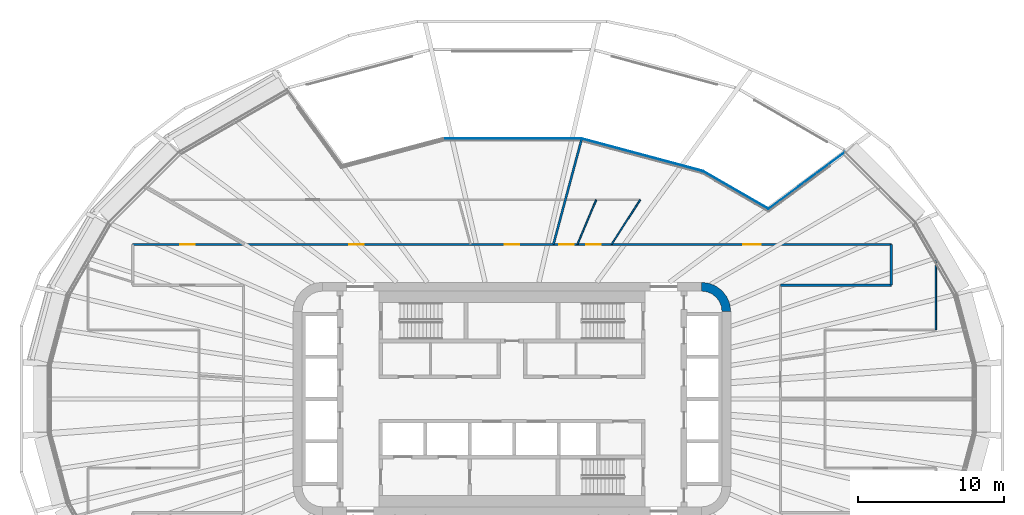
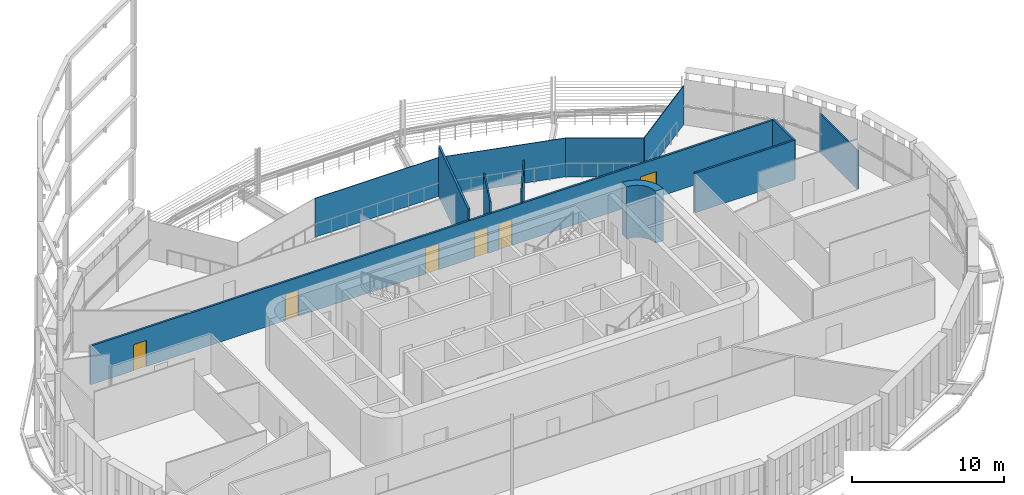
# One storey, part 16 of 25: 12 walls, 6 doors, 6 openings.
"""IFC4 building model written with IfcOpenShell, lengths in metres."""

from ifc_helpers import new_model, si_unit, direction, frame, frame_2d, origin, place, context, subcontext, project, spatial, polyline, rectangle, outline, extrude, material, layer, layer_set, type_object, element, fill, save


model = new_model("IFC4")

# Units and contexts
model_context = context("Model", 3, precision=1e-05, world=origin(), true_north=direction((0.0, 1.0)))
body_context = subcontext(model_context, "Body", "Model", "MODEL_VIEW")
ifc_project = project(units=[si_unit("LENGTHUNIT", "METRE"), si_unit("AREAUNIT", "SQUARE_METRE"), si_unit("VOLUMEUNIT", "CUBIC_METRE"), si_unit("PLANEANGLEUNIT", "RADIAN"), si_unit("MASSUNIT", "GRAM", prefix="KILO")], contexts=[model_context])

# Site, building, storey
site_placement = place(None, origin())
site = spatial("IfcSite", under=ifc_project, at=site_placement, CompositionType="ELEMENT")
building_placement = place(site_placement, origin())
building = spatial("IfcBuilding", under=site, at=building_placement, Name="Sahrelin Media Tower", CompositionType="ELEMENT")
storey_placement = place(building_placement, frame((0.0, 0.0, 127.199951171875)))
storey = spatial("IfcBuildingStorey", under=building, at=storey_placement, Name="L25", CompositionType="ELEMENT", Elevation=127.199951171875)

# Walls
ifc_material_1 = material(Name="Concrete C60/75", Category="concrete")
ifc_layer_1 = layer(ifc_material_1, 0.60009765625)
ifc_layer_set_1 = layer_set([ifc_layer_1], Name="Core wall 600")
wall_type_1 = type_object("IfcWallType", Name="Core wall 600", PredefinedType="SHEAR", material=ifc_layer_set_1)
wall_1_placement = place(storey_placement, origin())
element("IfcWall", 1, at=wall_1_placement, inside=storey, type_object=wall_type_1, Name="Core wall corner NE L25", PredefinedType="SHEAR", context=body_context, shape_type="SweptSolid", body=[
    extrude(outline(polyline([(13.0, 8.0), (13.0, 7.394775390625), (13.361083984375, 7.347412109375), (13.697509765625, 7.2080078125), (13.986328125, 6.986328125), (14.2080078125, 6.697509765625), (14.347412109375, 6.361083984375), (14.394775390625, 6.0), (15.0, 6.0), (14.931884765625, 6.517578125), (14.732177734375, 7.0), (14.414306640625, 7.414306640625), (14.0, 7.732177734375), (13.517578125, 7.931884765625), (13.0, 8.0)])), origin(), (0.0, 0.0, 1.0), 4.199951171875),
])
ifc_material_2 = material(Name="Fire-rated gypsum board partition")
ifc_layer_2 = layer(ifc_material_2, 0.14990234375)
ifc_layer_set_2 = layer_set([ifc_layer_2], Name="Fire-rated partition 150")
wall_type_2 = type_object("IfcWallType", Name="Fire-rated partition 150", PredefinedType="PARTITIONING", material=ifc_layer_set_2)
wall_2_placement = place(storey_placement, frame((18.39990234375, 7.800048828125, 0.0), z_axis=(0.0, 0.0, 1.0), x_axis=(1.0, 0.0, 0.0)))
element("IfcWall", 2, at=wall_2_placement, inside=storey, type_object=wall_type_2, Name="Wall", PredefinedType="PARTITIONING", context=body_context, shape_type="SweptSolid", body=[
    extrude(rectangle(XDim=7.60009765625, YDim=0.14990234375, at=frame_2d((3.800048828125, 0.0))), origin(), (0.0, 0.0, 1.0), 3.195068359375),
])

# Wall, openings, doors
wall_3_placement = place(storey_placement, frame((-26.0, 10.60009765625, 0.0), z_axis=(0.0, 0.0, 1.0), x_axis=(1.0, 0.0, 0.0)))
wall_3 = element("IfcWall", 3, at=wall_3_placement, inside=storey, type_object=wall_type_2, Name="Wall", PredefinedType="PARTITIONING", context=body_context, shape_type="SweptSolid", body=[
    extrude(rectangle(XDim=52.0, YDim=0.14990234375, at=frame_2d((26.0, 0.0))), origin(), (0.0, 0.0, 1.0), 3.126953125),
])
opening_1_placement = place(wall_3_placement, frame((41.861083984375, 0.0, 0.0)))
opening_1 = element("IfcOpeningElement", 4, at=opening_1_placement, cuts=wall_3, Name="Opening L25-D26", PredefinedType="OPENING", context=body_context, shape_type="SweptSolid", body=[
    extrude(rectangle(XDim=1.199951171875, YDim=2.10009765625, at=frame_2d((0.60009765625, 1.050048828125))), frame((0.0, 0.074951171875, 0.0), z_axis=(0.0, -1.0, 0.0), x_axis=(1.0, 0.0, 0.0)), (0.0, 0.0, 1.0), 0.14990234375),
])
opening_2_placement = place(wall_3_placement, frame((31.0830078125, 0.0, 0.0)))
opening_2 = element("IfcOpeningElement", 5, at=opening_2_placement, cuts=wall_3, Name="Opening L25-D27", PredefinedType="OPENING", context=body_context, shape_type="SweptSolid", body=[
    extrude(rectangle(XDim=1.0, YDim=2.10009765625, at=frame_2d((0.5, 1.050048828125))), frame((0.0, 0.074951171875, 0.0), z_axis=(0.0, -1.0, 0.0), x_axis=(1.0, 0.0, 0.0)), (0.0, 0.0, 1.0), 0.14990234375),
])
opening_3_placement = place(wall_3_placement, frame((29.23291015625, 0.0, 0.0)))
opening_3 = element("IfcOpeningElement", 6, at=opening_3_placement, cuts=wall_3, Name="Opening L25-D28", PredefinedType="OPENING", context=body_context, shape_type="SweptSolid", body=[
    extrude(rectangle(XDim=1.0, YDim=2.10009765625, at=frame_2d((0.5, 1.050048828125))), frame((0.0, 0.074951171875, 0.0), z_axis=(0.0, -1.0, 0.0), x_axis=(1.0, 0.0, 0.0)), (0.0, 0.0, 1.0), 0.14990234375),
])
opening_4_placement = place(wall_3_placement, frame((25.5, 0.0, 0.0)))
opening_4 = element("IfcOpeningElement", 7, at=opening_4_placement, cuts=wall_3, Name="Opening L25-D30", PredefinedType="OPENING", context=body_context, shape_type="SweptSolid", body=[
    extrude(rectangle(XDim=1.0, YDim=2.10009765625, at=frame_2d((0.5, 1.050048828125))), frame((0.0, 0.074951171875, 0.0), z_axis=(0.0, -1.0, 0.0), x_axis=(1.0, 0.0, 0.0)), (0.0, 0.0, 1.0), 0.14990234375),
])
opening_5_placement = place(wall_3_placement, frame((14.829833984375, 0.0, 0.0)))
opening_5 = element("IfcOpeningElement", 8, at=opening_5_placement, cuts=wall_3, Name="Opening L25-D31", PredefinedType="OPENING", context=body_context, shape_type="SweptSolid", body=[
    extrude(rectangle(XDim=1.0, YDim=2.10009765625, at=frame_2d((0.5, 1.050048828125))), frame((0.0, 0.074951171875, 0.0), z_axis=(0.0, -1.0, 0.0), x_axis=(1.0, 0.0, 0.0)), (0.0, 0.0, 1.0), 0.14990234375),
])
opening_6_placement = place(wall_3_placement, frame((3.2490234375, 0.0, 0.0)))
opening_6 = element("IfcOpeningElement", 9, at=opening_6_placement, cuts=wall_3, Name="Opening L25-D33", PredefinedType="OPENING", context=body_context, shape_type="SweptSolid", body=[
    extrude(rectangle(XDim=1.0, YDim=2.10009765625, at=frame_2d((0.5, 1.050048828125))), frame((0.0, 0.074951171875, 0.0), z_axis=(0.0, -1.0, 0.0), x_axis=(1.0, 0.0, 0.0)), (0.0, 0.0, 1.0), 0.14990234375),
])
ifc_material_3 = material(Name="Steel fire door leaf", Category="steel")
door_type_1 = type_object("IfcDoorType", Name="Fire door 1000 x 2100 EI 60", OperationType="NOTDEFINED", PredefinedType="DOOR", material=ifc_material_3)
door_1_placement = place(opening_2_placement, origin())
door_1 = element("IfcDoor", 10, at=door_1_placement, inside=storey, type_object=door_type_1, Name="Fire door", OperationType="SINGLE_SWING_RIGHT", OverallHeight=2.10009765625, OverallWidth=1.0, PredefinedType="DOOR", context=body_context, shape_type="SweptSolid", body=[
    extrude(rectangle(XDim=1.0, YDim=2.10009765625, at=frame_2d((0.5, 1.050048828125))), frame((0.0, 0.02490234375, 0.0), z_axis=(0.0, -1.0, 0.0), x_axis=(1.0, 0.0, 0.0)), (0.0, 0.0, 1.0), 0.050048828125),
])
fill(opening_2, door_1)
door_2_placement = place(opening_3_placement, origin())
door_2 = element("IfcDoor", 11, at=door_2_placement, inside=storey, type_object=door_type_1, Name="Fire door", OperationType="SINGLE_SWING_LEFT", OverallHeight=2.10009765625, OverallWidth=1.0, PredefinedType="DOOR", context=body_context, shape_type="SweptSolid", body=[
    extrude(rectangle(XDim=1.0, YDim=2.10009765625, at=frame_2d((0.5, 1.050048828125))), frame((0.0, 0.02490234375, 0.0), z_axis=(0.0, -1.0, 0.0), x_axis=(1.0, 0.0, 0.0)), (0.0, 0.0, 1.0), 0.050048828125),
])
fill(opening_3, door_2)
door_3_placement = place(opening_4_placement, origin())
door_3 = element("IfcDoor", 12, at=door_3_placement, inside=storey, type_object=door_type_1, Name="Fire door", OperationType="SINGLE_SWING_RIGHT", OverallHeight=2.10009765625, OverallWidth=1.0, PredefinedType="DOOR", context=body_context, shape_type="SweptSolid", body=[
    extrude(rectangle(XDim=1.0, YDim=2.10009765625, at=frame_2d((0.5, 1.050048828125))), frame((0.0, 0.02490234375, 0.0), z_axis=(0.0, -1.0, 0.0), x_axis=(1.0, 0.0, 0.0)), (0.0, 0.0, 1.0), 0.050048828125),
])
fill(opening_4, door_3)
door_4_placement = place(opening_5_placement, origin())
door_4 = element("IfcDoor", 13, at=door_4_placement, inside=storey, type_object=door_type_1, Name="Fire door", OperationType="SINGLE_SWING_RIGHT", OverallHeight=2.10009765625, OverallWidth=1.0, PredefinedType="DOOR", context=body_context, shape_type="SweptSolid", body=[
    extrude(rectangle(XDim=1.0, YDim=2.10009765625, at=frame_2d((0.5, 1.050048828125))), frame((0.0, 0.02490234375, 0.0), z_axis=(0.0, -1.0, 0.0), x_axis=(1.0, 0.0, 0.0)), (0.0, 0.0, 1.0), 0.050048828125),
])
fill(opening_5, door_4)
door_5_placement = place(opening_6_placement, origin())
door_5 = element("IfcDoor", 14, at=door_5_placement, inside=storey, type_object=door_type_1, Name="Fire door", OperationType="SINGLE_SWING_RIGHT", OverallHeight=2.10009765625, OverallWidth=1.0, PredefinedType="DOOR", context=body_context, shape_type="SweptSolid", body=[
    extrude(rectangle(XDim=1.0, YDim=2.10009765625, at=frame_2d((0.5, 1.050048828125))), frame((0.0, 0.02490234375, 0.0), z_axis=(0.0, -1.0, 0.0), x_axis=(1.0, 0.0, 0.0)), (0.0, 0.0, 1.0), 0.050048828125),
])
fill(opening_6, door_5)
door_type_2 = type_object("IfcDoorType", Name="Service double door 1200 x 2100 EI 60", OperationType="DOUBLE_DOOR_SINGLE_SWING", PredefinedType="DOOR", material=ifc_material_3)
door_6_placement = place(opening_1_placement, origin())
door_6 = element("IfcDoor", 15, at=door_6_placement, inside=storey, type_object=door_type_2, Name="Service double door", OperationType="DOUBLE_DOOR_SINGLE_SWING", OverallHeight=2.10009765625, OverallWidth=1.199951171875, PredefinedType="DOOR", context=body_context, shape_type="SweptSolid", body=[
    extrude(rectangle(XDim=1.199951171875, YDim=2.10009765625, at=frame_2d((0.60009765625, 1.050048828125))), frame((0.0, 0.02490234375, 0.0), z_axis=(0.0, -1.0, 0.0), x_axis=(1.0, 0.0, 0.0)), (0.0, 0.0, 1.0), 0.050048828125),
])
fill(opening_1, door_6)

# Walls
wall_4_placement = place(storey_placement, frame((2.840087890625, 10.60009765625, 0.0), z_axis=(0.0, 0.0, 1.0), x_axis=(0.258833136442, 0.965922050416, 0.0)))
element("IfcWall", 16, at=wall_4_placement, inside=storey, type_object=wall_type_2, Name="Wall", PredefinedType="PARTITIONING", context=body_context, shape_type="SweptSolid", body=[
    extrude(rectangle(XDim=7.50244140625, YDim=0.14990234375, at=frame_2d((3.751220703125, 0.0))), origin(), (0.0, 0.0, 1.0), 4.050048828125),
])
wall_5_placement = place(storey_placement, frame((26.0, 7.800048828125, 0.0), z_axis=(0.0, 0.0, 1.0), x_axis=(0.0, 1.0, 0.0)))
element("IfcWall", 17, at=wall_5_placement, inside=storey, type_object=wall_type_2, Name="Wall", PredefinedType="PARTITIONING", context=body_context, shape_type="SweptSolid", body=[
    extrude(rectangle(XDim=2.800048828125, YDim=0.14990234375, at=frame_2d((1.39990234375, 0.0))), origin(), (0.0, 0.0, 1.0), 3.195068359375),
])
ifc_material_4 = material(Name="Clear glass", Category="glass")
ifc_layer_3 = layer(ifc_material_4, 0.050048828125)
ifc_layer_set_3 = layer_set([ifc_layer_3], Name="Glazed partition 50")
wall_type_3 = type_object("IfcWallType", Name="Glazed partition 50", PredefinedType="PARTITIONING", material=ifc_layer_set_3)
wall_6_placement = place(storey_placement, frame((13.097900390625, 15.618896484375, 0.0), z_axis=(0.0, 0.0, 1.0), x_axis=(0.866014140959, -0.500019507279, 0.0)))
element("IfcWall", 18, at=wall_6_placement, inside=storey, type_object=wall_type_3, Name="Wall", PredefinedType="PARTITIONING", context=body_context, shape_type="SweptSolid", body=[
    extrude(rectangle(XDim=5.169677734375, YDim=0.050048828125, at=frame_2d((2.5849609375, 0.0))), origin(), (0.0, 0.0, 1.0), 3.126953125),
])
wall_7_placement = place(storey_placement, frame((4.716064453125, 17.864990234375, 0.0), z_axis=(0.0, 0.0, 1.0), x_axis=(0.965920421928, -0.258839213612, 0.0)))
element("IfcWall", 19, at=wall_7_placement, inside=storey, type_object=wall_type_3, Name="Wall", PredefinedType="PARTITIONING", context=body_context, shape_type="SweptSolid", body=[
    extrude(rectangle(XDim=8.677490234375, YDim=0.050048828125, at=frame_2d((4.3388671875, 0.0))), origin(), (0.0, 0.0, 1.0), 3.126953125),
])
wall_8_placement = place(storey_placement, frame((-4.716064453125, 17.864990234375, 0.0), z_axis=(0.0, 0.0, 1.0), x_axis=(1.0, 0.0, 0.0)))
element("IfcWall", 20, at=wall_8_placement, inside=storey, type_object=wall_type_3, Name="Wall", PredefinedType="PARTITIONING", context=body_context, shape_type="SweptSolid", body=[
    extrude(rectangle(XDim=9.43212890625, YDim=0.050048828125, at=frame_2d((4.716064453125, 0.0))), origin(), (0.0, 0.0, 1.0), 3.126953125),
])
wall_9_placement = place(storey_placement, frame((17.574951171875, 13.033935546875, 0.0), z_axis=(0.0, 0.0, 1.0), x_axis=(0.803195977764, 0.59571488256, 0.0)))
element("IfcWall", 21, at=wall_9_placement, inside=storey, type_object=wall_type_3, Name="Wall", PredefinedType="PARTITIONING", context=body_context, shape_type="SweptSolid", body=[
    extrude(rectangle(XDim=6.5400390625, YDim=0.050048828125, at=frame_2d((3.27001953125, 0.0))), origin(), (0.0, 0.0, 1.0), 3.126953125),
])
ifc_material_5 = material(Name="Gypsum board partition")
ifc_layer_4 = layer(ifc_material_5, 0.10009765625)
ifc_layer_set_4 = layer_set([ifc_layer_4], Name="Partition 100")
wall_type_4 = type_object("IfcWallType", Name="Partition 100", PredefinedType="PARTITIONING", material=ifc_layer_set_4)
wall_10_placement = place(storey_placement, frame((6.822021484375, 10.60009765625, 0.0), z_axis=(0.0, 0.0, 1.0), x_axis=(0.541140741439, 0.840932041222, 0.0)))
element("IfcWall", 22, at=wall_10_placement, inside=storey, type_object=wall_type_4, Name="Wall", PredefinedType="PARTITIONING", context=body_context, shape_type="SweptSolid", body=[
    extrude(rectangle(XDim=3.638671875, YDim=0.10009765625, at=frame_2d((1.8193359375, 0.0))), origin(), (0.0, 0.0, 1.0), 4.050048828125),
])
wall_11_placement = place(storey_placement, frame((4.48291015625, 10.60009765625, 0.0), z_axis=(0.0, 0.0, 1.0), x_axis=(0.389551289035, 0.921004773718, 0.0)))
element("IfcWall", 23, at=wall_11_placement, inside=storey, type_object=wall_type_4, Name="Wall", PredefinedType="PARTITIONING", context=body_context, shape_type="SweptSolid", body=[
    extrude(rectangle(XDim=3.322265625, YDim=0.10009765625, at=frame_2d((1.6611328125, 0.0))), origin(), (0.0, 0.0, 1.0), 4.050048828125),
])
wall_12_placement = place(storey_placement, frame((29.06005859375, 4.739990234375, 0.0), z_axis=(0.0, 0.0, 1.0), x_axis=(0.0, 1.0, 0.0)))
element("IfcWall", 24, at=wall_12_placement, inside=storey, type_object=wall_type_4, Name="Wall", PredefinedType="PARTITIONING", context=body_context, shape_type="SweptSolid", body=[
    extrude(rectangle(XDim=4.950927734375, YDim=0.10009765625, at=frame_2d((2.4755859375, 0.0))), origin(), (0.0, 0.0, 1.0), 3.126953125),
])

save(model, "model.ifc")
